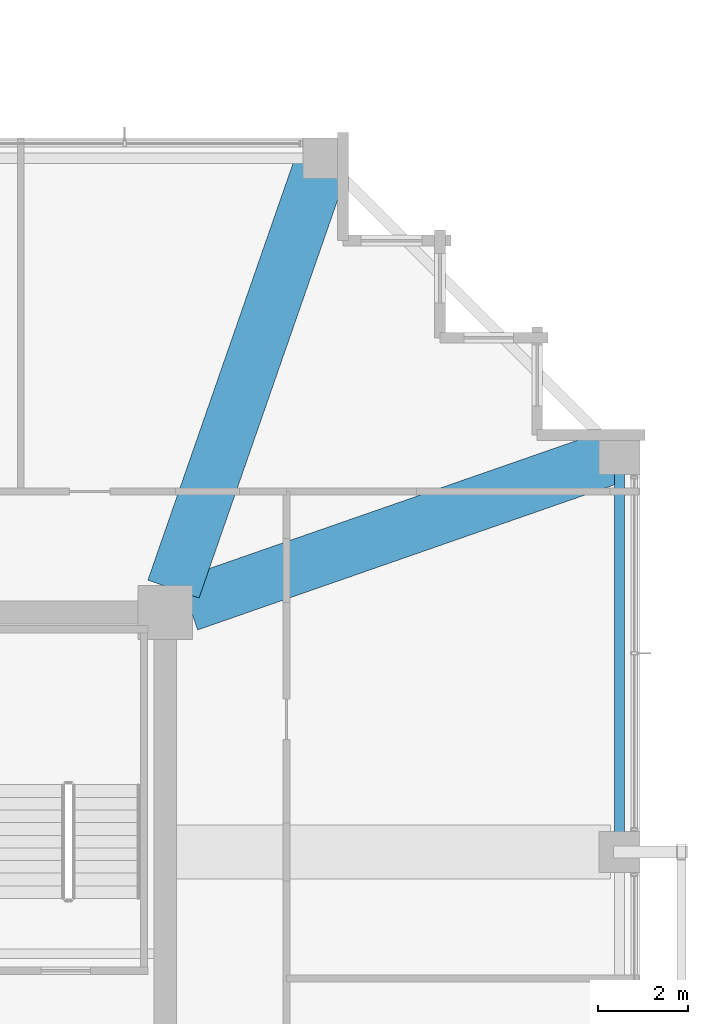
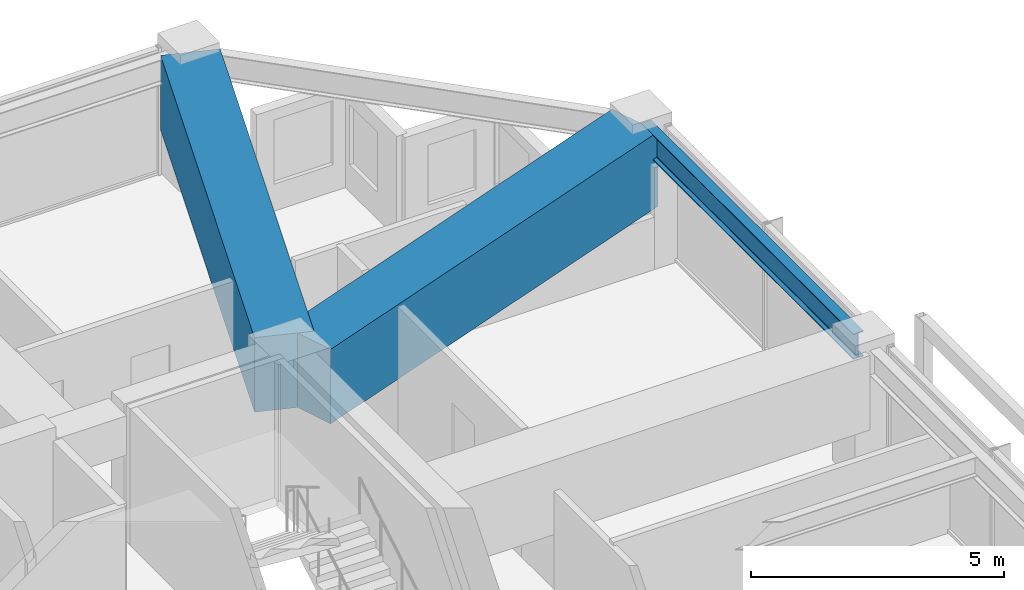
# One storey, part 22 of 37: 3 beams.
"""IFC4 building model written with IfcOpenShell, lengths in metres."""

from ifc_helpers import new_model, si_unit, direction, frame, origin, origin_2d, place, context, subcontext, project, spatial, rectangle, i_section, extrude, material, material_profile, profile_set, type_object, element, save


model = new_model("IFC4")

# Units and contexts
model_context = context("Model", 3, precision=1e-05, world=origin(), true_north=direction((0.0, 1.0)))
body_context = subcontext(model_context, "Body", "Model", "MODEL_VIEW")
ifc_project = project(units=[si_unit("LENGTHUNIT", "METRE"), si_unit("AREAUNIT", "SQUARE_METRE"), si_unit("VOLUMEUNIT", "CUBIC_METRE"), si_unit("PLANEANGLEUNIT", "RADIAN"), si_unit("MASSUNIT", "GRAM", prefix="KILO")], contexts=[model_context])

# Site, building, storey
site_placement = place(None, origin())
site = spatial("IfcSite", under=ifc_project, at=site_placement, CompositionType="ELEMENT")
building_placement = place(site_placement, origin())
building = spatial("IfcBuilding", under=site, at=building_placement, Name="Kolvaren Belvedere", CompositionType="ELEMENT")
storey_placement = place(building_placement, frame((0.0, 0.0, 186.60009765625)))
storey = spatial("IfcBuildingStorey", under=building, at=storey_placement, Name="L54", CompositionType="ELEMENT", Elevation=186.60009765625)

# Beams
ifc_material_1 = material(Name="Structural steel ASTM A992 Grade 50", Category="steel")
ifc_material_profile_1 = material_profile(ifc_material_1, i_section(OverallWidth=0.22900390625, OverallDepth=0.612060546875, WebThickness=0.011962890625, FlangeThickness=0.01953125, FilletRadius=0.01806640625, at=origin_2d()), Name="W24X84")
ifc_profile_set_1 = profile_set([ifc_material_profile_1], Name="Structural steel ASTM A992 Grade 50")
beam_type_1 = type_object("IfcBeamType", Name="BM-SPAN-W24X84", PredefinedType="SPANDREL", material=ifc_profile_set_1)
beam_placement = place(storey_placement, frame((19.949951171875, 4.802490234375, 2.77392578125), z_axis=(0.0, 1.0, 0.0), x_axis=(-1.0, 0.0, 0.0)))
element("IfcBeam", 1, at=beam_placement, inside=storey, type_object=beam_type_1, Name="L54 Perimeter Spandrel E3-E4", PredefinedType="SPANDREL", context=body_context, shape_type="SweptSolid", body=[
    extrude(i_section(OverallWidth=0.22900390625, OverallDepth=0.612060546875, WebThickness=0.011962890625, FlangeThickness=0.01953125, FilletRadius=0.01806640625, at=origin_2d()), origin(), (0.0, 0.0, 1.0), 8.39501953125),
])
ifc_material_2 = material(Name="Concrete C50/60", Category="concrete")
ifc_material_profile_2 = material_profile(ifc_material_2, rectangle(XDim=1.199951171875, YDim=1.800048828125, at=origin_2d()), Name="RC 1200X1800")
ifc_profile_set_2 = profile_set([ifc_material_profile_2], Name="Concrete C50/60")
beam_type_2 = type_object("IfcBeamType", Name="BM-TG-1800", PredefinedType="BEAM", material=ifc_profile_set_2)
for number, where, z_axis, x_axis, name in (
    (2, (10.080810546875, 10.41943359375, 2.179931640625), (0.328894130701, 0.944366798861, 0.0), (-0.944366798861, 0.328894130701, 0.0), "L54 Corner Core-to-Perimeter Girder CC3-N4"),
    (3, (10.41943359375, 10.080810546875, 2.179931640625), (0.944366798861, 0.328894130701, 0.0), (-0.328894130701, 0.944366798861, 0.0), "L54 Corner Core-to-Perimeter Girder CC3-E4"),
):
    element("IfcBeam", number, at=place(storey_placement, frame(where, z_axis=z_axis, x_axis=x_axis)), inside=storey, type_object=beam_type_2, Name=name, PredefinedType="BEAM", context=body_context, shape_type="SweptSolid", body=[
        extrude(rectangle(XDim=1.199951171875, YDim=1.800048828125, at=origin_2d()), origin(), (0.0, 0.0, 1.0), 9.912109375),
    ])

save(model, "model.ifc")
